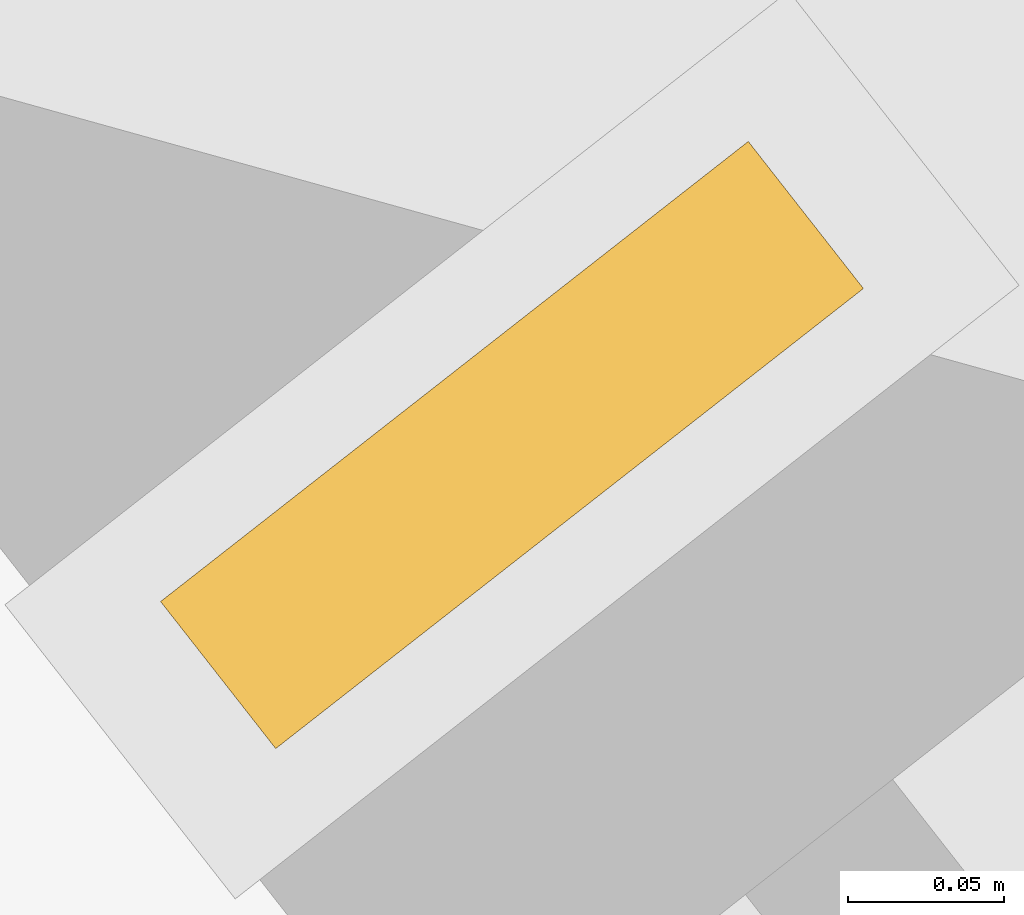
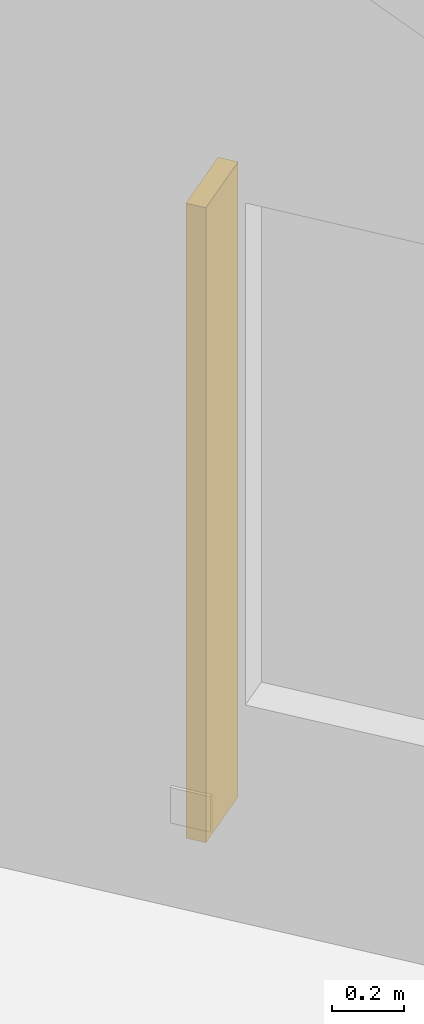
# One storey, part 16 of 16: 1 shading device.
"""IFC4 building model written with IfcOpenShell, lengths in metres."""

from ifc_helpers import new_model, si_unit, direction, frame, origin, origin_2d, place, context, subcontext, project, spatial, rectangle, extrude, material, type_object, element, save


model = new_model("IFC4")

# Units and contexts
model_context = context("Model", 3, precision=1e-05, world=origin(), true_north=direction((0.0, 1.0)))
body_context = subcontext(model_context, "Body", "Model", "MODEL_VIEW")
ifc_project = project(units=[si_unit("LENGTHUNIT", "METRE"), si_unit("AREAUNIT", "SQUARE_METRE"), si_unit("VOLUMEUNIT", "CUBIC_METRE"), si_unit("PLANEANGLEUNIT", "RADIAN"), si_unit("MASSUNIT", "GRAM", prefix="KILO")], contexts=[model_context])

# Site, building, storey
site_placement = place(None, origin())
site = spatial("IfcSite", under=ifc_project, at=site_placement, CompositionType="ELEMENT")
building_placement = place(site_placement, origin())
building = spatial("IfcBuilding", under=site, at=building_placement, Name="Kolvaren Gate Tower and Convention Centre", CompositionType="ELEMENT")
storey_placement = place(building_placement, frame((0.0, 0.0, 100.800048828125)))
storey = spatial("IfcBuildingStorey", under=building, at=storey_placement, Name="L24", CompositionType="ELEMENT", Elevation=100.800048828125)

# Shading device
ifc_material = material(Name="Kiln-Fired Bogota Terracotta Ceramic Louvre Profile", Category="masonry")
shading_device_type = type_object("IfcShadingDeviceType", Name="ARCH-SHD-FIN-180", PredefinedType="JALOUSIE", material=ifc_material)
shading_device_placement = place(storey_placement, frame((43.24755859375, 42.443359375, 0.219970703125), z_axis=(0.0, 0.0, 1.0), x_axis=(0.616424499081, -0.787414018756, 0.0)))
element("IfcShadingDevice", 1, at=shading_device_placement, inside=storey, type_object=shading_device_type, Name="Ceramic Vertical Brise-Soleil Fin FN-L24-03", PredefinedType="JALOUSIE", context=body_context, shape_type="SweptSolid", body=[
    extrude(rectangle(XDim=0.06005859375, YDim=0.239990234375, at=origin_2d()), origin(), (0.0, 0.0, 1.0), 2.14990234375),
])

save(model, "model.ifc")
